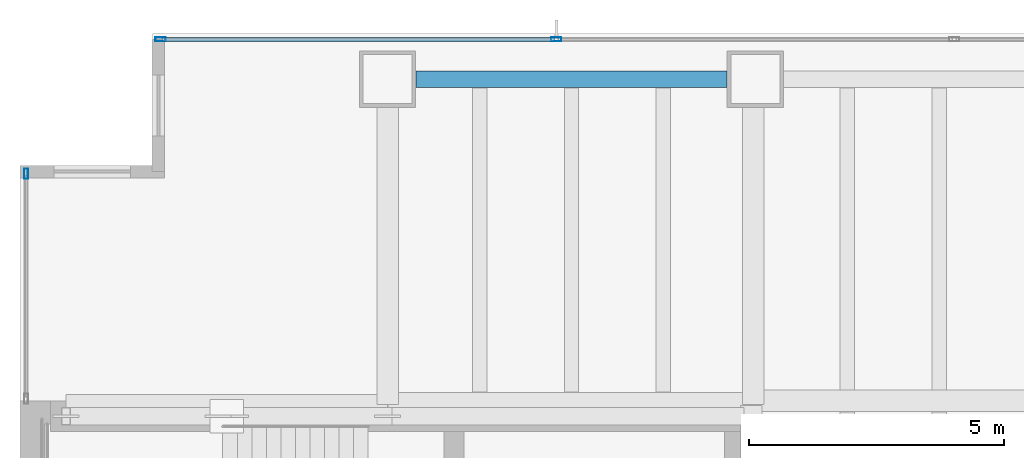
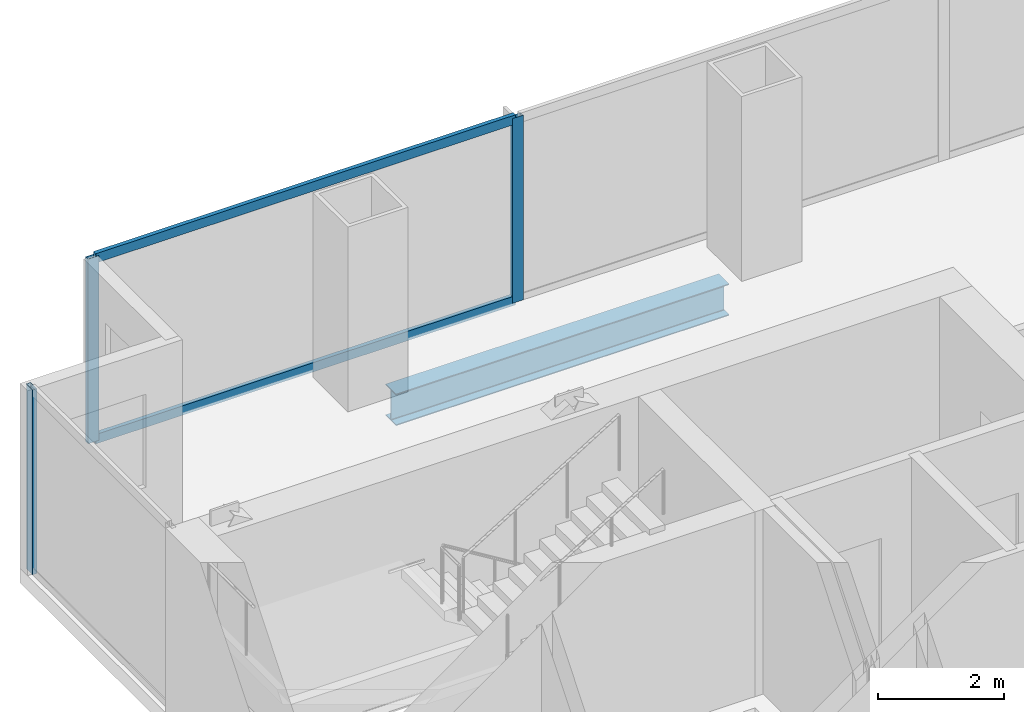
# One storey, part 16 of 25: 5 members, 1 beam, 2 elements without a shape of their own.
"""IFC4 building model written with IfcOpenShell, lengths in metres."""

import ifcopenshell
import ifcopenshell.guid

model = None  # the IFC model being written
_history = None  # IfcOwnerHistory: only IFC2X3 demands one
_inside = {}  # id of a spatial element -> (the spatial element, [elements in it])
_under = {}  # id of a project, library or spatial element -> (it, [spatial elements below it])
_declared = {}  # id of a project -> (the project, [libraries it declares])
_typed = {}  # id of a type object -> (the type object, [elements of that type])
_made_of = {}  # id of a material, layer set ... -> (it, [elements and type objects made of it])


def new_model(schema):
    """Start an empty IFC model of exactly this schema.

    Asked for "IFC4X3", IfcOpenShell would pick the latest addendum, in which some entities
    have other attributes; the version numbers below select the first issue.
    IFC2X3 requires an IfcOwnerHistory on every rooted entity: one is made here for all.
    """
    global model, _history
    if schema == "IFC4X3":
        model = ifcopenshell.file(schema_version=(4, 3, 0, 0))
    else:
        model = ifcopenshell.file(schema=schema)
    _inside.clear()
    _under.clear()
    _declared.clear()
    _typed.clear()
    _made_of.clear()
    _history = None
    if model.schema == "IFC2X3":
        org = make("IfcOrganization", Name="unknown")
        user = make(
            "IfcPersonAndOrganization",
            ThePerson=make("IfcPerson", FamilyName="unknown"),
            TheOrganization=org,
        )
        app = make(
            "IfcApplication",
            ApplicationDeveloper=org,
            Version="unknown",
            ApplicationFullName="unknown",
            ApplicationIdentifier="unknown",
        )
        _history = make(
            "IfcOwnerHistory",
            OwningUser=user,
            OwningApplication=app,
            ChangeAction="ADDED",
            CreationDate=0,
        )
    return model


def make(cls, **values):
    """One entity of the class cls with the attributes given. An attribute that is None is left unset."""
    return model.create_entity(
        cls, **{name: value for name, value in values.items() if value is not None}
    )


def rooted(cls, **values):
    """An entity with a GlobalId (a new one), such as an element, a storey or a relation."""
    return make(cls, GlobalId=ifcopenshell.guid.new(), OwnerHistory=_history, **values)


def si_unit(unit_type, name, prefix=None):
    """IfcSIUnit, for example si_unit("LENGTHUNIT", "METRE", prefix="MILLI")."""
    return make("IfcSIUnit", UnitType=unit_type, Prefix=prefix, Name=name)


def assignment(units):
    """IfcUnitAssignment: the units of a project."""
    return None if units is None else make("IfcUnitAssignment", Units=units)


def point(xyz):
    """IfcCartesianPoint."""
    return None if xyz is None else make("IfcCartesianPoint", Coordinates=xyz)


def direction(xyz):
    """IfcDirection."""
    return None if xyz is None else make("IfcDirection", DirectionRatios=xyz)


def frame(location, z_axis=None, x_axis=None):
    """IfcAxis2Placement3D, a coordinate frame: its origin and axes. An axis left out is left unset."""
    return make(
        "IfcAxis2Placement3D",
        Location=point(location),
        Axis=direction(z_axis),
        RefDirection=direction(x_axis),
    )


def frame_2d(location, x_axis=None):
    """IfcAxis2Placement2D, a coordinate frame in the plane: its origin and x axis."""
    return make(
        "IfcAxis2Placement2D", Location=point(location), RefDirection=direction(x_axis)
    )


def origin():
    """The frame at (0, 0, 0) with its axes left unset."""
    return frame((0.0, 0.0, 0.0))


def origin_2d():
    """The frame at (0, 0) in the plane with its x axis left unset."""
    return frame_2d((0.0, 0.0))


def place(relative_to, where):
    """IfcLocalPlacement: puts the frame where relative to a parent placement (None: the world)."""
    return make(
        "IfcLocalPlacement", PlacementRelTo=relative_to, RelativePlacement=where
    )


def context(
    kind, dimensions, precision=None, world=None, true_north=None, identifier=None
):
    """IfcGeometricRepresentationContext, for example the 3D "Model" context."""
    return make(
        "IfcGeometricRepresentationContext",
        ContextIdentifier=identifier,
        ContextType=kind,
        CoordinateSpaceDimension=dimensions,
        Precision=precision,
        WorldCoordinateSystem=world,
        TrueNorth=true_north,
    )


def subcontext(parent, identifier, kind, view, scale=None):
    """IfcGeometricRepresentationSubContext, for example "Body" below "Model"."""
    return make(
        "IfcGeometricRepresentationSubContext",
        ContextIdentifier=identifier,
        ContextType=kind,
        ParentContext=parent,
        TargetScale=scale,
        TargetView=view,
    )


def project(units=None, contexts=None):
    """IfcProject with its units and contexts."""
    return rooted(
        "IfcProject",
        Name="project",
        RepresentationContexts=contexts,
        UnitsInContext=assignment(units),
    )


def spatial(cls, under=None, at=None, **own):
    """A site, building, storey or space (cls), placed at a placement, below another one or the project."""
    s = rooted(cls, ObjectPlacement=at, **own)
    if under is not None:
        _under.setdefault(under.id(), (under, []))[1].append(s)
    return s


def profile(cls, at=None, kind="AREA", **sizes):
    """A parametric profile (cls). Its sizes go by their IFC names, for example OverallWidth=200.0."""
    return make(cls, ProfileType=kind, Position=at, **sizes)


def hollow_rectangle(**sizes):
    """IfcRectangleHollowProfileDef."""
    return profile("IfcRectangleHollowProfileDef", **sizes)


def i_section(**sizes):
    """IfcIShapeProfileDef."""
    return profile("IfcIShapeProfileDef", **sizes)


def extrude(swept, where, along, depth):
    """IfcExtrudedAreaSolid: the profile swept, set in the frame where, extruded along a direction by depth."""
    return make(
        "IfcExtrudedAreaSolid",
        SweptArea=swept,
        Position=where,
        ExtrudedDirection=direction(along),
        Depth=depth,
    )


def shape(context_of_items, identifier, shape_type, items):
    """IfcShapeRepresentation: the items that make up one representation, for example the "Body"."""
    return make(
        "IfcShapeRepresentation",
        ContextOfItems=context_of_items,
        RepresentationIdentifier=identifier,
        RepresentationType=shape_type,
        Items=items,
    )


def material(Name=None, Category=None):
    """IfcMaterial."""
    return make("IfcMaterial", Name=Name, Category=Category)


def material_profile(
    of_material, cross_section, Name=None, Category=None, Priority=None
):
    """IfcMaterialProfile: a cross section and its material."""
    return make(
        "IfcMaterialProfile",
        Name=Name,
        Material=of_material,
        Profile=cross_section,
        Priority=Priority,
        Category=Category,
    )


def profile_set(profiles, Name=None, composite=None):
    """IfcMaterialProfileSet."""
    return make(
        "IfcMaterialProfileSet",
        Name=Name,
        MaterialProfiles=profiles,
        CompositeProfile=composite,
    )


def made_of(thing, what):
    """Note that an element or type object is made of a material, layer set ...; save() writes the relation."""
    if what is not None:
        _made_of.setdefault(what.id(), (what, []))[1].append(thing)
    return thing


def type_object(cls, material=None, **own):
    """A type object (cls), such as IfcWallType, which elements share."""
    return made_of(rooted(cls, **own), material)


def element(
    cls,
    number,
    at=None,
    inside=None,
    cuts=None,
    type_object=None,
    material=None,
    context=None,
    identifier="Body",
    shape_type=None,
    held_by="IfcProductDefinitionShape",
    body=None,
    shapes=None,
    **own,
):
    """One element of the class cls, such as IfcWall. Its Tag is "e" and its number.

    at: its placement. inside: the storey or other place that contains it. cuts: it is an
    opening in that element (IfcRelVoidsElement). A single representation is given by context,
    identifier, shape_type and body (its items); several are given by shapes. held_by: the class
    of the entity that holds the representations. save() writes the other relations.
    """
    e = rooted(cls, Tag="e%d" % number, ObjectPlacement=at, **own)
    if body is not None:
        shapes = [shape(context, identifier, shape_type, body)]
    if shapes is not None:
        e.Representation = make(held_by, Representations=shapes)
    if inside is not None:
        _inside.setdefault(inside.id(), (inside, []))[1].append(e)
    if cuts is not None:
        rooted(
            "IfcRelVoidsElement", RelatingBuildingElement=cuts, RelatedOpeningElement=e
        )
    if type_object is not None:
        _typed.setdefault(type_object.id(), (type_object, []))[1].append(e)
    return made_of(e, material)


def aggregate(whole, parts):
    """IfcRelAggregates: a whole, such as a stair, and the parts it consists of."""
    return rooted("IfcRelAggregates", RelatingObject=whole, RelatedObjects=parts)


def save(model, path):
    """Write the relations noted so far, then the file.

    IfcRelAggregates (storeys below a building ...), IfcRelContainedInSpatialStructure (elements
    in a storey), IfcRelDefinesByType, IfcRelAssociatesMaterial and IfcRelDeclares: one each for
    every whole, place, type object, material and project.
    """
    for whole, parts in _under.values():
        aggregate(whole, parts)
    for where, things in _inside.values():
        rooted(
            "IfcRelContainedInSpatialStructure",
            RelatedElements=things,
            RelatingStructure=where,
        )
    for kind, things in _typed.values():
        rooted("IfcRelDefinesByType", RelatedObjects=things, RelatingType=kind)
    for what, things in _made_of.values():
        rooted("IfcRelAssociatesMaterial", RelatedObjects=things, RelatingMaterial=what)
    for by, libraries in _declared.values():
        rooted("IfcRelDeclares", RelatingContext=by, RelatedDefinitions=libraries)
    model.write(path)


model = new_model("IFC4")

# Units and contexts
model_context = context("Model", 3, precision=1e-05, world=origin(), true_north=direction((0.0, 1.0)))
body_context = subcontext(model_context, "Body", "Model", "MODEL_VIEW")
ifc_project = project(units=[si_unit("LENGTHUNIT", "METRE"), si_unit("AREAUNIT", "SQUARE_METRE"), si_unit("VOLUMEUNIT", "CUBIC_METRE"), si_unit("PLANEANGLEUNIT", "RADIAN"), si_unit("MASSUNIT", "GRAM", prefix="KILO")], contexts=[model_context])

# Site, building, storey
site_placement = place(None, origin())
site = spatial("IfcSite", under=ifc_project, at=site_placement, CompositionType="ELEMENT")
building_placement = place(site_placement, origin())
building = spatial("IfcBuilding", under=site, at=building_placement, Name="Cobrela Telecom Tower", CompositionType="ELEMENT")
storey_placement = place(building_placement, frame((0.0, 0.0, 35.0)))
storey = spatial("IfcBuildingStorey", under=building, at=storey_placement, Name="L08", CompositionType="ELEMENT", Elevation=35.0)

# Beam
ifc_material_1 = material(Name="Steel ASTM A992 Grade 50", Category="steel")
ifc_material_profile_1 = material_profile(ifc_material_1, i_section(OverallWidth=0.324951171875, OverallDepth=0.612060546875, WebThickness=0.0126953125, FlangeThickness=0.01904296875, FilletRadius=0.014892578125, at=origin_2d()), Name="W24X104")
ifc_profile_set_1 = profile_set([ifc_material_profile_1], Name="Steel ASTM A992 Grade 50")
beam_type = type_object("IfcBeamType", Name="BM-SPAND-02", PredefinedType="SPANDREL", material=ifc_profile_set_1)
beam_placement = place(storey_placement, frame((7.7548828125, 42.300048828125, -0.5859375), z_axis=(1.0, 0.0, 0.0), x_axis=(0.0, 1.0, 0.0)))
element("IfcBeam", 1, at=beam_placement, inside=storey, type_object=beam_type, Name="L08 Perimeter Spandrel X29", PredefinedType="SPANDREL", context=body_context, shape_type="SweptSolid", body=[
    extrude(i_section(OverallWidth=0.324951171875, OverallDepth=0.612060546875, WebThickness=0.0126953125, FlangeThickness=0.01904296875, FilletRadius=0.014892578125, at=origin_2d()), origin(), (0.0, 0.0, 1.0), 6.090087890625),
])

# Curtain wall, member
ifc_material_2 = material(Name="Anodized Bronze Aluminium 6063-T6", Category="aluminium")
curtain_wall_type = type_object("IfcCurtainWallType", Name="CW-SYS-DATA", PredefinedType="USERDEFINED", material=ifc_material_2)
curtain_wall_1_placement = place(storey_placement, origin())
curtain_wall_1 = element("IfcCurtainWall", 2, at=curtain_wall_1_placement, inside=storey, type_object=curtain_wall_type, Name="L08 Unitised Bronze Curtain Wall 04", ObjectType="UNITISED CURTAIN WALL", PredefinedType="USERDEFINED")
ifc_material_profile_2 = material_profile(ifc_material_2, hollow_rectangle(XDim=0.080078125, YDim=0.199951171875, WallThickness=0.00390625, at=origin_2d()), Name="ALU 80x200x4")
ifc_profile_set_2 = profile_set([ifc_material_profile_2], Name="Anodized Bronze Aluminium 6063-T6")
member_type_1 = type_object("IfcMemberType", Name="CW-SYS-DATA-MUL", PredefinedType="MULLION", material=ifc_profile_set_2)
member_1_placement = place(storey_placement, frame((0.1201171875, 40.449951171875, 0.0), z_axis=(0.0, 0.0, 1.0), x_axis=(-1.0, 0.0, 0.0)))
member_1 = element("IfcMember", 3, at=member_1_placement, type_object=member_type_1, Name="CW-DATA mullion 2", PredefinedType="MULLION", context=body_context, shape_type="SweptSolid", body=[
    extrude(hollow_rectangle(XDim=0.080078125, YDim=0.199951171875, WallThickness=0.00390625, at=origin_2d()), origin(), (0.0, 0.0, 1.0), 3.570068359375),
])
aggregate(curtain_wall_1, [member_1])

# Curtain wall, members
curtain_wall_2_placement = place(storey_placement, origin())
curtain_wall_2 = element("IfcCurtainWall", 4, at=curtain_wall_2_placement, inside=storey, type_object=curtain_wall_type, Name="L08 Unitised Bronze Curtain Wall 07", ObjectType="UNITISED CURTAIN WALL", PredefinedType="USERDEFINED")
member_2_placement = place(storey_placement, frame((2.75, 43.080078125, 0.0), z_axis=(0.0, 0.0, 1.0), x_axis=(0.0, 1.0, 0.0)))
member_2 = element("IfcMember", 5, at=member_2_placement, type_object=member_type_1, Name="CW-DATA mullion 1", PredefinedType="MULLION", context=body_context, shape_type="SweptSolid", body=[
    extrude(hollow_rectangle(XDim=0.080078125, YDim=0.199951171875, WallThickness=0.00390625, at=origin_2d()), origin(), (0.0, 0.0, 1.0), 3.570068359375),
])
member_3_placement = place(storey_placement, frame((10.50341796875, 43.080078125, 0.0), z_axis=(0.0, 0.0, 1.0), x_axis=(0.0, 1.0, 0.0)))
member_3 = element("IfcMember", 6, at=member_3_placement, type_object=member_type_1, Name="CW-DATA mullion 2", PredefinedType="MULLION", context=body_context, shape_type="SweptSolid", body=[
    extrude(hollow_rectangle(XDim=0.080078125, YDim=0.199951171875, WallThickness=0.00390625, at=origin_2d()), origin(), (0.0, 0.0, 1.0), 3.570068359375),
])
ifc_material_profile_3 = material_profile(ifc_material_2, hollow_rectangle(XDim=0.074951171875, YDim=0.179931640625, WallThickness=0.00390625, at=origin_2d()), Name="ALU 75x180x4")
ifc_profile_set_3 = profile_set([ifc_material_profile_3], Name="Anodized Bronze Aluminium 6063-T6")
member_type_2 = type_object("IfcMemberType", Name="CW-SYS-DATA-TRN", PredefinedType="USERDEFINED", material=ifc_profile_set_3)
member_4_placement = place(storey_placement, frame((2.7900390625, 43.080078125, 0.03759765625), z_axis=(1.0, 0.0, 0.0), x_axis=(0.0, 1.0, 0.0)))
member_4 = element("IfcMember", 7, at=member_4_placement, type_object=member_type_2, Name="CW-DATA transom 1.1", ObjectType="TRANSOM", PredefinedType="USERDEFINED", context=body_context, shape_type="SweptSolid", body=[
    extrude(hollow_rectangle(XDim=0.074951171875, YDim=0.179931640625, WallThickness=0.00390625, at=origin_2d()), origin(), (0.0, 0.0, 1.0), 7.67333984375),
])
member_5_placement = place(storey_placement, frame((2.7900390625, 43.080078125, 3.532470703125), z_axis=(1.0, 0.0, 0.0), x_axis=(0.0, 1.0, 0.0)))
member_5 = element("IfcMember", 8, at=member_5_placement, type_object=member_type_2, Name="CW-DATA transom 1.2", ObjectType="TRANSOM", PredefinedType="USERDEFINED", context=body_context, shape_type="SweptSolid", body=[
    extrude(hollow_rectangle(XDim=0.074951171875, YDim=0.179931640625, WallThickness=0.00390625, at=origin_2d()), origin(), (0.0, 0.0, 1.0), 7.67333984375),
])
aggregate(curtain_wall_2, [member_2, member_3, member_4, member_5])

save(model, "model.ifc")
